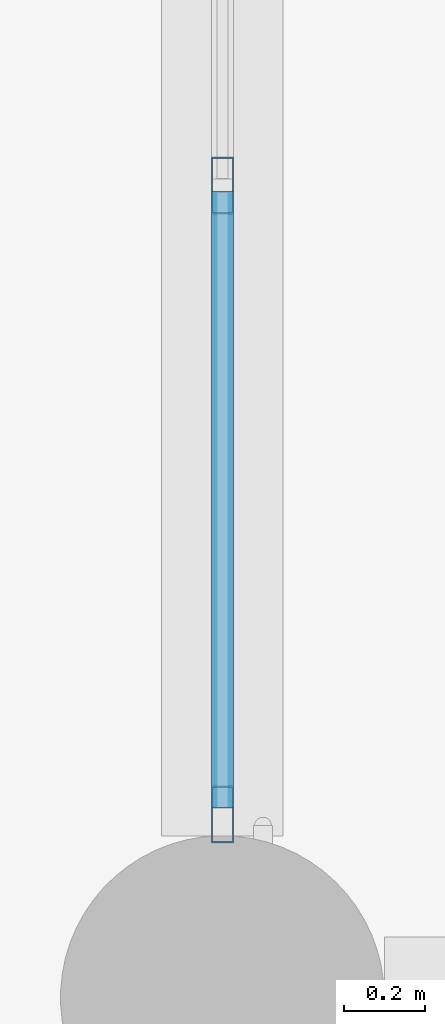
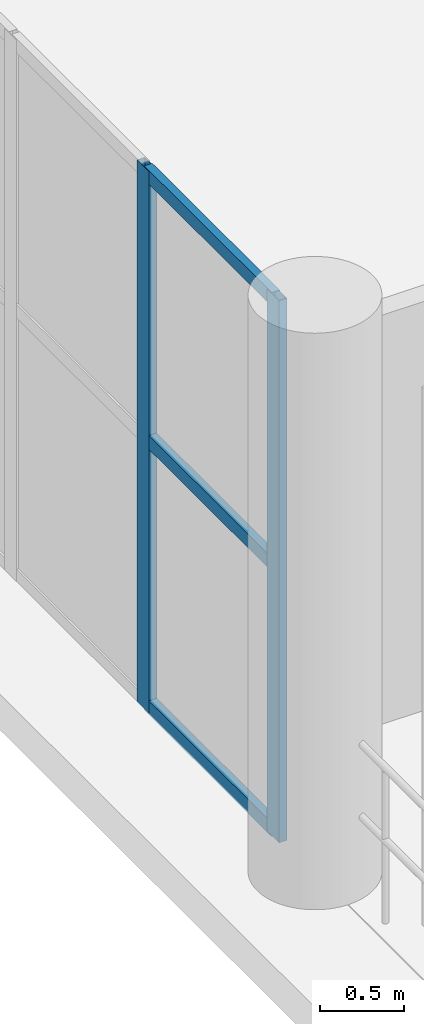
# One storey, part 45 of 153: 5 members, 1 element without a shape of its own.
"""IFC4 building model written with IfcOpenShell, lengths in metres."""

from ifc_helpers import new_model, si_unit, direction, frame, origin, origin_2d, place, context, subcontext, project, spatial, hollow_rectangle, extrude, material, material_profile, profile_set, type_object, element, aggregate, save


model = new_model("IFC4")

# Units and contexts
model_context = context("Model", 3, precision=1e-05, world=origin(), true_north=direction((0.0, 1.0)))
body_context = subcontext(model_context, "Body", "Model", "MODEL_VIEW")
ifc_project = project(units=[si_unit("LENGTHUNIT", "METRE"), si_unit("AREAUNIT", "SQUARE_METRE"), si_unit("VOLUMEUNIT", "CUBIC_METRE"), si_unit("PLANEANGLEUNIT", "RADIAN"), si_unit("MASSUNIT", "GRAM", prefix="KILO")], contexts=[model_context])

# Site, building, storey
site_placement = place(None, origin())
site = spatial("IfcSite", under=ifc_project, at=site_placement, CompositionType="ELEMENT")
building_placement = place(site_placement, origin())
building = spatial("IfcBuilding", under=site, at=building_placement, Name="Qandorah Velis Arena", CompositionType="ELEMENT")
storey_placement = place(building_placement, frame((0.0, 0.0, 5.39990234375)))
storey = spatial("IfcBuildingStorey", under=building, at=storey_placement, Name="L01", CompositionType="ELEMENT", Elevation=5.39990234375)

# Curtain wall, members
ifc_material_1 = material(Name="Solar-control low-E double glazing", Category="glass")
curtain_wall_type = type_object("IfcCurtainWallType", Name="ARC-CW-SYS08", PredefinedType="USERDEFINED", material=ifc_material_1)
curtain_wall_placement = place(storey_placement, origin())
curtain_wall = element("IfcCurtainWall", 1, at=curtain_wall_placement, inside=storey, type_object=curtain_wall_type, Name="Unitised curtain wall L01-008", ObjectType="UNITISED CURTAIN WALL", PredefinedType="USERDEFINED")
ifc_material_2 = material(Name="Champagne-bronze anodized aluminium 6063-T6", Category="aluminium")
ifc_material_profile_1 = material_profile(ifc_material_2, hollow_rectangle(XDim=0.054931640625, YDim=0.139892578125, WallThickness=0.0029296875, at=origin_2d()), Name="ALU MULLION 55x140")
ifc_profile_set_1 = profile_set([ifc_material_profile_1], Name="Champagne-bronze anodized aluminium 6063-T6")
member_type_1 = type_object("IfcMemberType", Name="ARC-CWM-140", PredefinedType="MULLION", material=ifc_profile_set_1)
member_1_placement = place(storey_placement, frame((0.0, 94.052490234375, -0.014892578125), z_axis=(0.0, 0.0, 1.0), x_axis=(-1.0, 0.0, 0.0)))
member_1 = element("IfcMember", 2, at=member_1_placement, type_object=member_type_1, Name="CW08 mullion 1", PredefinedType="MULLION", context=body_context, shape_type="SweptSolid", body=[
    extrude(hollow_rectangle(XDim=0.054931640625, YDim=0.139892578125, WallThickness=0.0029296875, at=origin_2d()), origin(), (0.0, 0.0, 1.0), 3.949951171875),
])
member_2_placement = place(storey_placement, frame((0.0, 95.606201171875, -0.014892578125), z_axis=(0.0, 0.0, 1.0), x_axis=(-1.0, 0.0, 0.0)))
member_2 = element("IfcMember", 3, at=member_2_placement, type_object=member_type_1, Name="CW08 mullion 2", PredefinedType="MULLION", context=body_context, shape_type="SweptSolid", body=[
    extrude(hollow_rectangle(XDim=0.054931640625, YDim=0.139892578125, WallThickness=0.0029296875, at=origin_2d()), origin(), (0.0, 0.0, 1.0), 3.949951171875),
])
ifc_material_profile_2 = material_profile(ifc_material_2, hollow_rectangle(XDim=0.054931640625, YDim=0.10009765625, WallThickness=0.0029296875, at=origin_2d()), Name="ALU TRANSOM 55x100")
ifc_profile_set_2 = profile_set([ifc_material_profile_2], Name="Champagne-bronze anodized aluminium 6063-T6")
member_type_2 = type_object("IfcMemberType", Name="ARC-CWT-100", PredefinedType="USERDEFINED", material=ifc_profile_set_2)
member_3_placement = place(storey_placement, frame((0.0, 94.068115234375, 0.027587890625), z_axis=(0.0, 1.0, 0.0), x_axis=(-1.0, 0.0, 0.0)))
member_3 = element("IfcMember", 4, at=member_3_placement, type_object=member_type_2, Name="CW08 transom 1.1", ObjectType="TRANSOM", PredefinedType="USERDEFINED", context=body_context, shape_type="SweptSolid", body=[
    extrude(hollow_rectangle(XDim=0.054931640625, YDim=0.10009765625, WallThickness=0.0029296875, at=origin_2d()), origin(), (0.0, 0.0, 1.0), 1.522705078125),
])
member_4_placement = place(storey_placement, frame((0.0, 94.068115234375, 1.960205078125), z_axis=(0.0, 1.0, 0.0), x_axis=(-1.0, 0.0, 0.0)))
member_4 = element("IfcMember", 5, at=member_4_placement, type_object=member_type_2, Name="CW08 transom 1.2", ObjectType="TRANSOM", PredefinedType="USERDEFINED", context=body_context, shape_type="SweptSolid", body=[
    extrude(hollow_rectangle(XDim=0.054931640625, YDim=0.10009765625, WallThickness=0.0029296875, at=origin_2d()), origin(), (0.0, 0.0, 1.0), 1.522705078125),
])
member_5_placement = place(storey_placement, frame((0.0, 94.068115234375, 3.892578125), z_axis=(0.0, 1.0, 0.0), x_axis=(-1.0, 0.0, 0.0)))
member_5 = element("IfcMember", 6, at=member_5_placement, type_object=member_type_2, Name="CW08 transom 1.3", ObjectType="TRANSOM", PredefinedType="USERDEFINED", context=body_context, shape_type="SweptSolid", body=[
    extrude(hollow_rectangle(XDim=0.054931640625, YDim=0.10009765625, WallThickness=0.0029296875, at=origin_2d()), origin(), (0.0, 0.0, 1.0), 1.522705078125),
])
aggregate(curtain_wall, [member_1, member_2, member_3, member_4, member_5])

save(model, "model.ifc")
